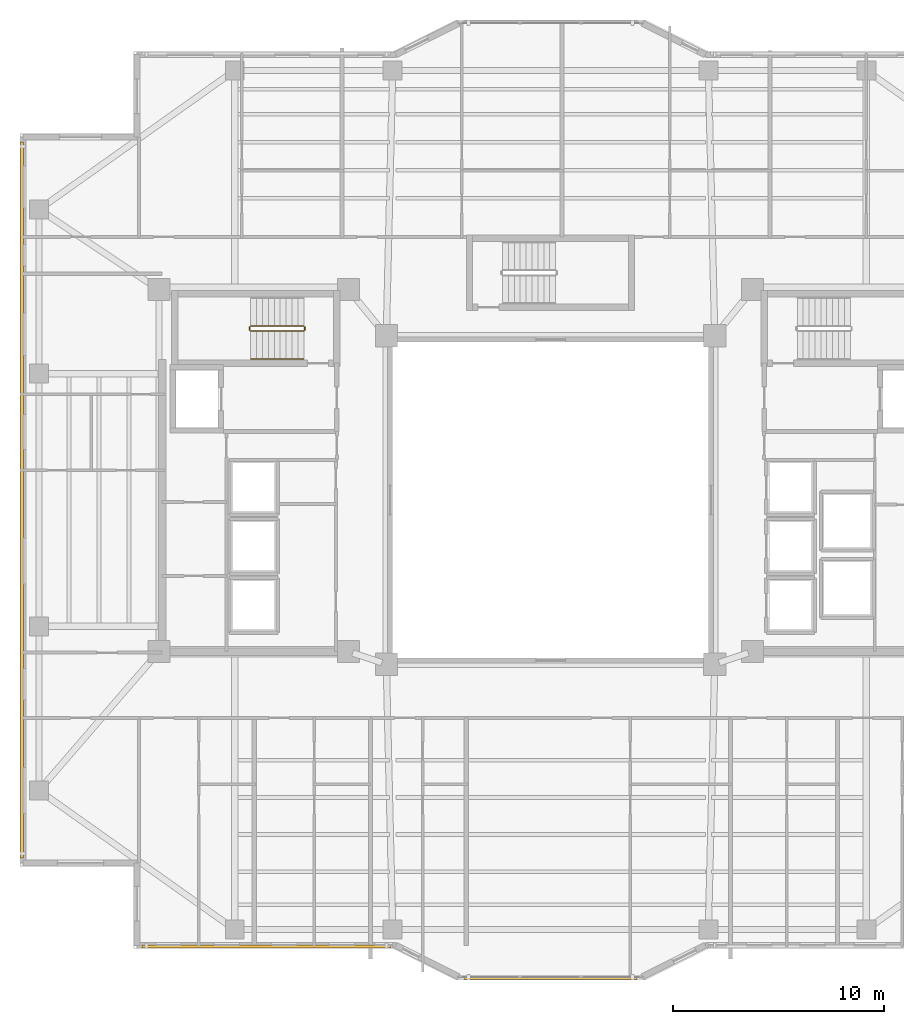
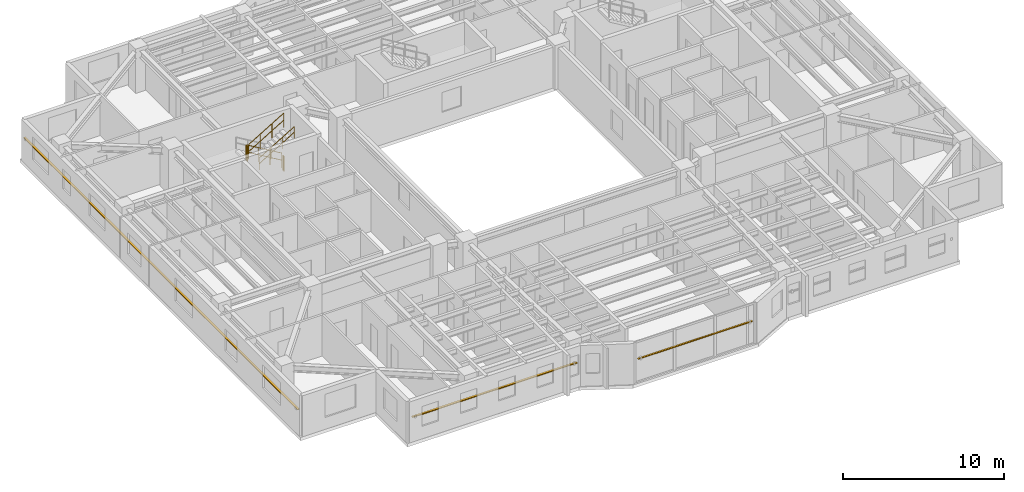
# One storey, part 14 of 16: 5 railings, 3 shading devices.
"""IFC4 building model written with IfcOpenShell, lengths in metres."""

from ifc_helpers import new_model, si_unit, direction, frame, origin, origin_2d, place, context, subcontext, project, spatial, rectangle, circle, extrude, material, material_profile, profile_set, type_object, element, save


model = new_model("IFC4")

# Units and contexts
model_context = context("Model", 3, precision=1e-05, world=origin(), true_north=direction((0.0, 1.0)))
body_context = subcontext(model_context, "Body", "Model", "MODEL_VIEW")
ifc_project = project(units=[si_unit("LENGTHUNIT", "METRE"), si_unit("AREAUNIT", "SQUARE_METRE"), si_unit("VOLUMEUNIT", "CUBIC_METRE"), si_unit("PLANEANGLEUNIT", "RADIAN"), si_unit("MASSUNIT", "GRAM", prefix="KILO")], contexts=[model_context])

# Site, building, storey
site_placement = place(None, origin())
site = spatial("IfcSite", under=ifc_project, at=site_placement, CompositionType="ELEMENT")
building_placement = place(site_placement, origin())
building = spatial("IfcBuilding", under=site, at=building_placement, Name="Tarnavaz Court Tower", CompositionType="ELEMENT")
storey_placement = place(building_placement, frame((0.0, 0.0, 135.949951171875)))
storey = spatial("IfcBuildingStorey", under=building, at=storey_placement, Name="L36", CompositionType="ELEMENT", Elevation=135.949951171875)

# Railings
ifc_material_1 = material(Name="Brushed Stainless Steel", Category="steel")
railing_type_1 = type_object("IfcRailingType", Name="RL-HANDRAIL-900", PredefinedType="HANDRAIL", material=ifc_material_1)
railing_1_placement = place(storey_placement, frame((-14.239990234375, 6.699951171875, 1.842529296875)))
element("IfcRailing", 1, at=railing_1_placement, inside=storey, type_object=railing_type_1, Name="L36 ST-W1 stair handrail 2", PredefinedType="HANDRAIL", context=body_context, shape_type="SweptSolid", body=[
    extrude(circle(Radius=0.02392578125, at=origin_2d()), frame((0.0, 0.0, 0.8759765625), z_axis=(0.858159760407, 0.0, 0.513382728203), x_axis=(0.0, 1.0, 0.0)), (0.0, 0.0, 1.0), 2.9365234375),
    extrude(circle(Radius=0.02392578125, at=origin_2d()), frame((0.0, 0.0, 0.449951171875), z_axis=(0.858159760407, 0.0, 0.513382728203), x_axis=(0.0, 1.0, 0.0)), (0.0, 0.0, 1.0), 2.9365234375),
    extrude(circle(Radius=0.02099609375, at=origin_2d()), origin(), (0.0, 0.0, 1.0), 0.851806640625),
    extrude(circle(Radius=0.02099609375, at=origin_2d()), frame((0.840087890625, 0.0, 0.50244140625)), (0.0, 0.0, 1.0), 0.851806640625),
    extrude(circle(Radius=0.02099609375, at=origin_2d()), frame((1.679931640625, 0.0, 1.005126953125)), (0.0, 0.0, 1.0), 0.851806640625),
    extrude(circle(Radius=0.02099609375, at=origin_2d()), frame((2.52001953125, 0.0, 1.507568359375)), (0.0, 0.0, 1.0), 0.851806640625),
])
ifc_material_2 = material(Name="Galvanized Painted Tubular Steel", Category="steel")
railing_type_2 = type_object("IfcRailingType", Name="RL-STGUARD-1120", PredefinedType="GUARDRAIL", material=ifc_material_2)
railing_2_placement = place(storey_placement, frame((-11.719970703125, 8.27001953125, 0.16748046875)))
element("IfcRailing", 2, at=railing_2_placement, inside=storey, type_object=railing_type_2, Name="L36 ST-W1 stair guard 1", PredefinedType="GUARDRAIL", context=body_context, shape_type="SweptSolid", body=[
    extrude(circle(Radius=0.02392578125, at=origin_2d()), frame((0.0, 0.0, 1.09619140625), z_axis=(-0.858159760407, 0.0, 0.513382728203), x_axis=(0.0, -1.0, 0.0)), (0.0, 0.0, 1.0), 2.9365234375),
    extrude(circle(Radius=0.02392578125, at=origin_2d()), frame((0.0, 0.0, 0.56005859375), z_axis=(-0.858159760407, 0.0, 0.513382728203), x_axis=(0.0, -1.0, 0.0)), (0.0, 0.0, 1.0), 2.9365234375),
    extrude(circle(Radius=0.02099609375, at=origin_2d()), origin(), (0.0, 0.0, 1.0), 1.072021484375),
    extrude(circle(Radius=0.02099609375, at=origin_2d()), frame((-0.840087890625, 0.0, 0.50244140625)), (0.0, 0.0, 1.0), 1.072021484375),
    extrude(circle(Radius=0.02099609375, at=origin_2d()), frame((-1.679931640625, 0.0, 1.005126953125)), (0.0, 0.0, 1.0), 1.072021484375),
    extrude(circle(Radius=0.02099609375, at=origin_2d()), frame((-2.52001953125, 0.0, 1.507568359375)), (0.0, 0.0, 1.0), 1.072021484375),
])
railing_3_placement = place(storey_placement, frame((-14.2900390625, 8.219970703125, 1.675048828125)))
element("IfcRailing", 3, at=railing_3_placement, inside=storey, type_object=railing_type_2, Name="L36 ST-W1 stair guard 2", PredefinedType="GUARDRAIL", context=body_context, shape_type="SweptSolid", body=[
    extrude(circle(Radius=0.02392578125, at=origin_2d()), frame((0.0, 0.0, 1.09619140625), z_axis=(0.0, -1.0, 0.0), x_axis=(1.0, 0.0, 0.0)), (0.0, 0.0, 1.0), 0.14990234375),
    extrude(circle(Radius=0.02392578125, at=origin_2d()), frame((0.0, 0.0, 0.56005859375), z_axis=(0.0, -1.0, 0.0), x_axis=(1.0, 0.0, 0.0)), (0.0, 0.0, 1.0), 0.14990234375),
    extrude(circle(Radius=0.02099609375, at=origin_2d()), origin(), (0.0, 0.0, 1.0), 1.072021484375),
    extrude(circle(Radius=0.02099609375, at=origin_2d()), frame((0.0, -0.14990234375, 0.0)), (0.0, 0.0, 1.0), 1.072021484375),
])
railing_4_placement = place(storey_placement, frame((-14.239990234375, 8.02001953125, 1.842529296875)))
element("IfcRailing", 4, at=railing_4_placement, inside=storey, type_object=railing_type_2, Name="L36 ST-W1 stair guard 3", PredefinedType="GUARDRAIL", context=body_context, shape_type="SweptSolid", body=[
    extrude(circle(Radius=0.02392578125, at=origin_2d()), frame((0.0, 0.0, 1.09619140625), z_axis=(0.858159760407, 0.0, 0.513382728203), x_axis=(0.0, 1.0, 0.0)), (0.0, 0.0, 1.0), 2.9365234375),
    extrude(circle(Radius=0.02392578125, at=origin_2d()), frame((0.0, 0.0, 0.56005859375), z_axis=(0.858159760407, 0.0, 0.513382728203), x_axis=(0.0, 1.0, 0.0)), (0.0, 0.0, 1.0), 2.9365234375),
    extrude(circle(Radius=0.02099609375, at=origin_2d()), origin(), (0.0, 0.0, 1.0), 1.072021484375),
    extrude(circle(Radius=0.02099609375, at=origin_2d()), frame((0.840087890625, 0.0, 0.50244140625)), (0.0, 0.0, 1.0), 1.072021484375),
    extrude(circle(Radius=0.02099609375, at=origin_2d()), frame((1.679931640625, 0.0, 1.005126953125)), (0.0, 0.0, 1.0), 1.072021484375),
    extrude(circle(Radius=0.02099609375, at=origin_2d()), frame((2.52001953125, 0.0, 1.507568359375)), (0.0, 0.0, 1.0), 1.072021484375),
])
railing_5_placement = place(storey_placement, frame((-11.669921875, 8.219970703125, 0.0)))
element("IfcRailing", 5, at=railing_5_placement, inside=storey, type_object=railing_type_2, Name="L36 ST-W1 stair guard 4", PredefinedType="GUARDRAIL", context=body_context, shape_type="SweptSolid", body=[
    extrude(circle(Radius=0.02392578125, at=origin_2d()), frame((0.0, 0.0, 1.09619140625), z_axis=(0.0, -1.0, 0.0), x_axis=(1.0, 0.0, 0.0)), (0.0, 0.0, 1.0), 0.14990234375),
    extrude(circle(Radius=0.02392578125, at=origin_2d()), frame((0.0, 0.0, 0.56005859375), z_axis=(0.0, -1.0, 0.0), x_axis=(1.0, 0.0, 0.0)), (0.0, 0.0, 1.0), 0.14990234375),
    extrude(circle(Radius=0.02099609375, at=origin_2d()), origin(), (0.0, 0.0, 1.0), 1.072021484375),
    extrude(circle(Radius=0.02099609375, at=origin_2d()), frame((0.0, -0.14990234375, 0.0)), (0.0, 0.0, 1.0), 1.072021484375),
])

# Shading devices
ifc_material_3 = material(Name="Kiln-Fired Khorasan Terracotta Ceramic", Category="masonry")
ifc_material_profile_1 = material_profile(ifc_material_3, rectangle(XDim=0.1201171875, YDim=0.06005859375, at=origin_2d()), Name="TC BAGUETTE 120X60")
ifc_profile_set_1 = profile_set([ifc_material_profile_1], Name="Kiln-Fired Khorasan Terracotta Ceramic")
shading_device_type_1 = type_object("IfcShadingDeviceType", Name="SD-BAG-120", PredefinedType="USERDEFINED", material=ifc_profile_set_1)
shading_device_1_placement = place(storey_placement, frame((4.10009765625, -22.7099609375, 1.800048828125), z_axis=(-1.0, 0.0, 0.0), x_axis=(0.0, -1.0, 0.0)))
element("IfcShadingDevice", 6, at=shading_device_1_placement, inside=storey, type_object=shading_device_type_1, Name="L36 Terracotta Baguette Screen PBG17", ObjectType="BAGUETTE", PredefinedType="USERDEFINED", context=body_context, shape_type="SweptSolid", body=[
    extrude(rectangle(XDim=0.1201171875, YDim=0.06005859375, at=origin_2d()), origin(), (0.0, 0.0, 1.0), 8.2001953125),
])
ifc_material_profile_2 = material_profile(ifc_material_3, rectangle(XDim=0.14990234375, YDim=0.06494140625, at=origin_2d()), Name="TC BAGUETTE 150X65")
ifc_profile_set_2 = profile_set([ifc_material_profile_2], Name="Kiln-Fired Khorasan Terracotta Ceramic")
shading_device_type_2 = type_object("IfcShadingDeviceType", Name="SD-BAG-150", PredefinedType="USERDEFINED", material=ifc_profile_set_2)
shading_device_2_placement = place(storey_placement, frame((-25.110107421875, -17.0, 1.85009765625), z_axis=(0.0, 1.0, 0.0), x_axis=(-1.0, 0.0, 0.0)))
element("IfcShadingDevice", 7, at=shading_device_2_placement, inside=storey, type_object=shading_device_type_2, Name="L36 Terracotta Baguette Screen FBG02", ObjectType="BAGUETTE", PredefinedType="USERDEFINED", context=body_context, shape_type="SweptSolid", body=[
    extrude(rectangle(XDim=0.14990234375, YDim=0.06494140625, at=origin_2d()), origin(), (0.0, 0.0, 1.0), 34.0),
])
shading_device_3_placement = place(storey_placement, frame((-7.60009765625, -21.2099609375, 1.85009765625), z_axis=(-1.0, 0.0, 0.0), x_axis=(0.0, -1.0, 0.0)))
element("IfcShadingDevice", 8, at=shading_device_3_placement, inside=storey, type_object=shading_device_type_2, Name="L36 Terracotta Baguette Screen FBG19", ObjectType="BAGUETTE", PredefinedType="USERDEFINED", context=body_context, shape_type="SweptSolid", body=[
    extrude(rectangle(XDim=0.14990234375, YDim=0.06494140625, at=origin_2d()), origin(), (0.0, 0.0, 1.0), 11.7998046875),
])

save(model, "model.ifc")
